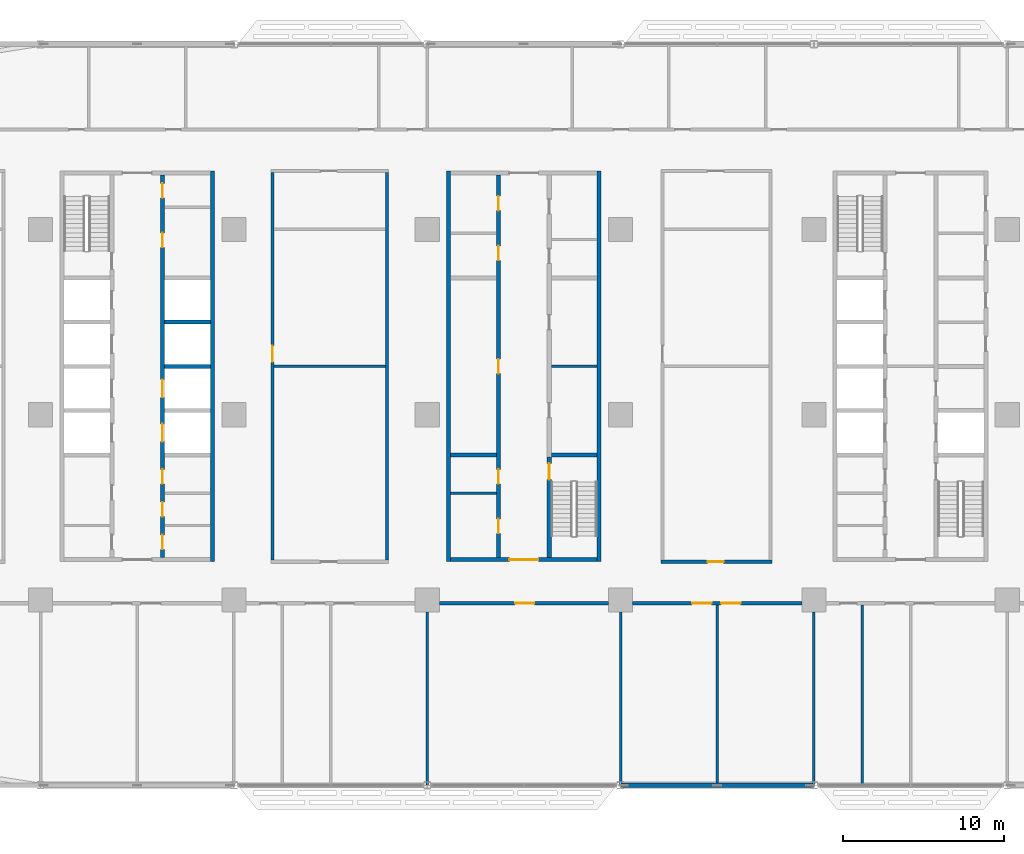
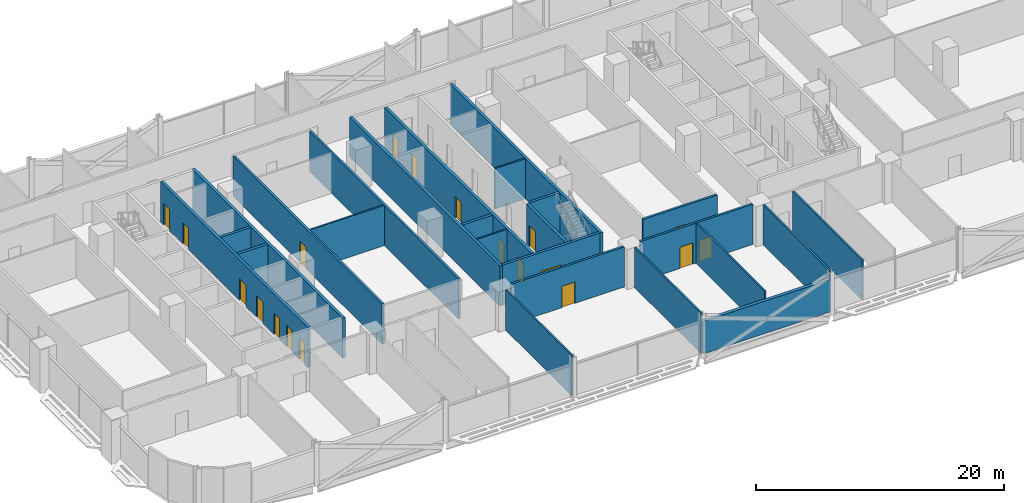
# One storey, part 13 of 29: 25 walls, 19 doors, 19 openings.
"""IFC4 building model written with IfcOpenShell, lengths in metres."""

from ifc_helpers import new_model, si_unit, direction, frame, frame_2d, origin, place, context, subcontext, project, spatial, rectangle, extrude, material, layer, layer_set, type_object, element, fill, save


model = new_model("IFC4")

# Units and contexts
model_context = context("Model", 3, precision=1e-05, world=origin(), true_north=direction((0.0, 1.0)))
body_context = subcontext(model_context, "Body", "Model", "MODEL_VIEW")
ifc_project = project(units=[si_unit("LENGTHUNIT", "METRE"), si_unit("AREAUNIT", "SQUARE_METRE"), si_unit("VOLUMEUNIT", "CUBIC_METRE"), si_unit("PLANEANGLEUNIT", "RADIAN"), si_unit("MASSUNIT", "GRAM", prefix="KILO")], contexts=[model_context])

# Site, building, storey
site_placement = place(None, origin())
site = spatial("IfcSite", under=ifc_project, at=site_placement, CompositionType="ELEMENT")
building_placement = place(site_placement, origin())
building = spatial("IfcBuilding", under=site, at=building_placement, Name="Mahtab Terrace Research Tower", CompositionType="ELEMENT")
storey_placement = place(building_placement, frame((0.0, 0.0, 58.89990234375)))
storey = spatial("IfcBuildingStorey", under=building, at=storey_placement, Name="L13", CompositionType="ELEMENT", Elevation=58.89990234375)

# Walls
ifc_material_1 = material(Name="Gypsum board partition")
ifc_layer_1 = layer(ifc_material_1, 0.14990234375)
ifc_layer_set_1 = layer_set([ifc_layer_1], Name="Core partition 150")
wall_type_1 = type_object("IfcWallType", Name="Core partition 150", PredefinedType="PARTITIONING", material=ifc_layer_set_1)
for number, where, z_axis, x_axis, name in (
    (1, (1.699951171875, 3.0, 0.0), (0.0, 0.0, 1.0), (1.0, 0.0, 0.0), "Core wall B pEL0"),
    (2, (-4.550048828125, -4.875, 0.0), (0.0, 0.0, 1.0), (1.0, 0.0, 0.0), "Core wall B pWS-788"),
):
    element("IfcWall", number, at=place(storey_placement, frame(where, z_axis=z_axis, x_axis=x_axis)), inside=storey, type_object=wall_type_1, Name=name, PredefinedType="PARTITIONING", context=body_context, shape_type="SweptSolid", body=[
        extrude(rectangle(XDim=2.85009765625, YDim=0.14990234375, at=frame_2d((1.425048828125, 0.0))), origin(), (0.0, 0.0, 1.0), 3.960205078125),
    ])
ifc_material_2 = material(Name="Concrete C70/85", Category="concrete")
ifc_layer_2 = layer(ifc_material_2, 0.25)
ifc_layer_set_2 = layer_set([ifc_layer_2], Name="Core wall 250")
wall_type_2 = type_object("IfcWallType", Name="Core wall 250", PredefinedType="SOLIDWALL", material=ifc_layer_set_2)
wall_1_placement = place(storey_placement, frame((-19.324951171875, -9.125, 0.0), z_axis=(0.0, 0.0, 1.0), x_axis=(0.0, 1.0, 0.0)))
element("IfcWall", 3, at=wall_1_placement, inside=storey, type_object=wall_type_2, Name="Core wall A outerE", PredefinedType="SOLIDWALL", context=body_context, shape_type="SweptSolid", body=[
    extrude(rectangle(XDim=24.25, YDim=0.25, at=frame_2d((12.125, 0.0))), origin(), (0.0, 0.0, 1.0), 3.960205078125),
])

# Wall, openings, doors
wall_2_placement = place(storey_placement, frame((-22.425048828125, 14.875, 0.0), z_axis=(0.0, 0.0, 1.0), x_axis=(0.0, -1.0, 0.0)))
wall_2 = element("IfcWall", 4, at=wall_2_placement, inside=storey, type_object=wall_type_2, Name="Core wall A innerESLN", PredefinedType="SOLIDWALL", context=body_context, shape_type="SweptSolid", body=[
    extrude(rectangle(XDim=23.75, YDim=0.25, at=frame_2d((11.875, 0.0))), origin(), (0.0, 0.0, 1.0), 3.960205078125),
])
opening_1_placement = place(wall_2_placement, frame((15.449951171875, 0.0, 0.0)))
opening_1 = element("IfcOpeningElement", 5, at=opening_1_placement, cuts=wall_2, Name="Opening LD05-L13", PredefinedType="OPENING", context=body_context, shape_type="SweptSolid", body=[
    extrude(rectangle(XDim=1.10009765625, YDim=2.10009765625, at=frame_2d((0.550048828125, 1.050048828125))), frame((0.0, 0.135009765625, 0.0), z_axis=(0.0, -1.0, 0.0), x_axis=(1.0, 0.0, 0.0)), (0.0, 0.0, 1.0), 0.27001953125),
])
opening_2_placement = place(wall_2_placement, frame((12.699951171875, 0.0, 0.0)))
opening_2 = element("IfcOpeningElement", 6, at=opening_2_placement, cuts=wall_2, Name="Opening LD06-L13", PredefinedType="OPENING", context=body_context, shape_type="SweptSolid", body=[
    extrude(rectangle(XDim=1.10009765625, YDim=2.10009765625, at=frame_2d((0.550048828125, 1.050048828125))), frame((0.0, 0.135009765625, 0.0), z_axis=(0.0, -1.0, 0.0), x_axis=(1.0, 0.0, 0.0)), (0.0, 0.0, 1.0), 0.27001953125),
])
opening_3_placement = place(wall_2_placement, frame((22.33740234375, 0.0, 0.0)))
opening_3 = element("IfcOpeningElement", 7, at=opening_3_placement, cuts=wall_2, Name="Opening A-R3", PredefinedType="OPENING", context=body_context, shape_type="SweptSolid", body=[
    extrude(rectangle(XDim=0.89990234375, YDim=2.10009765625, at=frame_2d((0.449951171875, 1.050048828125))), frame((0.0, 0.135009765625, 0.0), z_axis=(0.0, -1.0, 0.0), x_axis=(1.0, 0.0, 0.0)), (0.0, 0.0, 1.0), 0.27001953125),
])
opening_4_placement = place(wall_2_placement, frame((20.300048828125, 0.0, 0.0)))
opening_4 = element("IfcOpeningElement", 8, at=opening_4_placement, cuts=wall_2, Name="Opening A-R4", PredefinedType="OPENING", context=body_context, shape_type="SweptSolid", body=[
    extrude(rectangle(XDim=0.89990234375, YDim=2.10009765625, at=frame_2d((0.449951171875, 1.050048828125))), frame((0.0, 0.135009765625, 0.0), z_axis=(0.0, -1.0, 0.0), x_axis=(1.0, 0.0, 0.0)), (0.0, 0.0, 1.0), 0.27001953125),
])
opening_5_placement = place(wall_2_placement, frame((18.262451171875, 0.0, 0.0)))
opening_5 = element("IfcOpeningElement", 9, at=opening_5_placement, cuts=wall_2, Name="Opening A-R5", PredefinedType="OPENING", context=body_context, shape_type="SweptSolid", body=[
    extrude(rectangle(XDim=0.89990234375, YDim=2.10009765625, at=frame_2d((0.449951171875, 1.050048828125))), frame((0.0, 0.135009765625, 0.0), z_axis=(0.0, -1.0, 0.0), x_axis=(1.0, 0.0, 0.0)), (0.0, 0.0, 1.0), 0.27001953125),
])
opening_6_placement = place(wall_2_placement, frame((3.58740234375, 0.0, 0.0)))
opening_6 = element("IfcOpeningElement", 10, at=opening_6_placement, cuts=wall_2, Name="Opening A-R6", PredefinedType="OPENING", context=body_context, shape_type="SweptSolid", body=[
    extrude(rectangle(XDim=0.89990234375, YDim=2.10009765625, at=frame_2d((0.449951171875, 1.050048828125))), frame((0.0, 0.135009765625, 0.0), z_axis=(0.0, -1.0, 0.0), x_axis=(1.0, 0.0, 0.0)), (0.0, 0.0, 1.0), 0.27001953125),
])
opening_7_placement = place(wall_2_placement, frame((0.512451171875, 0.0, 0.0)))
opening_7 = element("IfcOpeningElement", 11, at=opening_7_placement, cuts=wall_2, Name="Opening A-R7", PredefinedType="OPENING", context=body_context, shape_type="SweptSolid", body=[
    extrude(rectangle(XDim=0.89990234375, YDim=2.10009765625, at=frame_2d((0.449951171875, 1.050048828125))), frame((0.0, 0.135009765625, 0.0), z_axis=(0.0, -1.0, 0.0), x_axis=(1.0, 0.0, 0.0)), (0.0, 0.0, 1.0), 0.27001953125),
])
ifc_material_3 = material(Name="Stainless steel AISI 304", Category="steel")
door_type_1 = type_object("IfcDoorType", Name="Landing door 1100x2100", OperationType="DOUBLE_DOOR_SLIDING", PredefinedType="DOOR", material=ifc_material_3)
door_1_placement = place(opening_1_placement, origin())
door_1 = element("IfcDoor", 12, at=door_1_placement, inside=storey, type_object=door_type_1, Name="Landing door LR5 L13", OperationType="DOUBLE_DOOR_SLIDING", OverallHeight=2.10009765625, OverallWidth=1.10009765625, PredefinedType="DOOR", context=body_context, shape_type="SweptSolid", body=[
    extrude(rectangle(XDim=1.10009765625, YDim=2.10009765625, at=frame_2d((0.550048828125, 1.050048828125))), frame((0.0, 0.02490234375, 0.0), z_axis=(0.0, -1.0, 0.0), x_axis=(1.0, 0.0, 0.0)), (0.0, 0.0, 1.0), 0.050048828125),
])
fill(opening_1, door_1)
door_2_placement = place(opening_2_placement, origin())
door_2 = element("IfcDoor", 13, at=door_2_placement, inside=storey, type_object=door_type_1, Name="Landing door LR6 L13", OperationType="DOUBLE_DOOR_SLIDING", OverallHeight=2.10009765625, OverallWidth=1.10009765625, PredefinedType="DOOR", context=body_context, shape_type="SweptSolid", body=[
    extrude(rectangle(XDim=1.10009765625, YDim=2.10009765625, at=frame_2d((0.550048828125, 1.050048828125))), frame((0.0, 0.02490234375, 0.0), z_axis=(0.0, -1.0, 0.0), x_axis=(1.0, 0.0, 0.0)), (0.0, 0.0, 1.0), 0.050048828125),
])
fill(opening_2, door_2)
ifc_material_4 = material(Name="Steel fire door", Category="steel")
door_type_2 = type_object("IfcDoorType", Name="Room door 900x2100 1 HR", OperationType="NOTDEFINED", PredefinedType="DOOR", material=ifc_material_4)
door_3_placement = place(opening_3_placement, origin())
door_3 = element("IfcDoor", 14, at=door_3_placement, inside=storey, type_object=door_type_2, Name="Comms riser room door", OperationType="SINGLE_SWING_LEFT", OverallHeight=2.10009765625, OverallWidth=0.89990234375, PredefinedType="DOOR", context=body_context, shape_type="SweptSolid", body=[
    extrude(rectangle(XDim=0.89990234375, YDim=2.10009765625, at=frame_2d((0.449951171875, 1.050048828125))), frame((0.0, 0.02490234375, 0.0), z_axis=(0.0, -1.0, 0.0), x_axis=(1.0, 0.0, 0.0)), (0.0, 0.0, 1.0), 0.050048828125),
])
fill(opening_3, door_3)
door_4_placement = place(opening_4_placement, origin())
door_4 = element("IfcDoor", 15, at=door_4_placement, inside=storey, type_object=door_type_2, Name="Pantry door", OperationType="SINGLE_SWING_RIGHT", OverallHeight=2.10009765625, OverallWidth=0.89990234375, PredefinedType="DOOR", context=body_context, shape_type="SweptSolid", body=[
    extrude(rectangle(XDim=0.89990234375, YDim=2.10009765625, at=frame_2d((0.449951171875, 1.050048828125))), frame((0.0, 0.02490234375, 0.0), z_axis=(0.0, -1.0, 0.0), x_axis=(1.0, 0.0, 0.0)), (0.0, 0.0, 1.0), 0.050048828125),
])
fill(opening_4, door_4)
door_5_placement = place(opening_5_placement, origin())
door_5 = element("IfcDoor", 16, at=door_5_placement, inside=storey, type_object=door_type_2, Name="Cleaners store door", OperationType="SINGLE_SWING_LEFT", OverallHeight=2.10009765625, OverallWidth=0.89990234375, PredefinedType="DOOR", context=body_context, shape_type="SweptSolid", body=[
    extrude(rectangle(XDim=0.89990234375, YDim=2.10009765625, at=frame_2d((0.449951171875, 1.050048828125))), frame((0.0, 0.02490234375, 0.0), z_axis=(0.0, -1.0, 0.0), x_axis=(1.0, 0.0, 0.0)), (0.0, 0.0, 1.0), 0.050048828125),
])
fill(opening_5, door_5)
door_6_placement = place(opening_6_placement, origin())
door_6 = element("IfcDoor", 17, at=door_6_placement, inside=storey, type_object=door_type_2, Name="IT equipment room door", OperationType="SINGLE_SWING_RIGHT", OverallHeight=2.10009765625, OverallWidth=0.89990234375, PredefinedType="DOOR", context=body_context, shape_type="SweptSolid", body=[
    extrude(rectangle(XDim=0.89990234375, YDim=2.10009765625, at=frame_2d((0.449951171875, 1.050048828125))), frame((0.0, 0.02490234375, 0.0), z_axis=(0.0, -1.0, 0.0), x_axis=(1.0, 0.0, 0.0)), (0.0, 0.0, 1.0), 0.050048828125),
])
fill(opening_6, door_6)
door_7_placement = place(opening_7_placement, origin())
door_7 = element("IfcDoor", 18, at=door_7_placement, inside=storey, type_object=door_type_2, Name="Electrical riser room door", OperationType="SINGLE_SWING_LEFT", OverallHeight=2.10009765625, OverallWidth=0.89990234375, PredefinedType="DOOR", context=body_context, shape_type="SweptSolid", body=[
    extrude(rectangle(XDim=0.89990234375, YDim=2.10009765625, at=frame_2d((0.449951171875, 1.050048828125))), frame((0.0, 0.02490234375, 0.0), z_axis=(0.0, -1.0, 0.0), x_axis=(1.0, 0.0, 0.0)), (0.0, 0.0, 1.0), 0.050048828125),
])
fill(opening_7, door_7)

# Walls
for number, where, z_axis, x_axis, name in (
    (19, (-22.300048828125, 3.0, 0.0), (0.0, 0.0, 1.0), (1.0, 0.0, 0.0), "Core wall A divE2"),
    (20, (-22.300048828125, 5.75, 0.0), (0.0, 0.0, 1.0), (1.0, 0.0, 0.0), "Core wall A divE3"),
):
    element("IfcWall", number, at=place(storey_placement, frame(where, z_axis=z_axis, x_axis=x_axis)), inside=storey, type_object=wall_type_2, Name=name, PredefinedType="SOLIDWALL", context=body_context, shape_type="SweptSolid", body=[
        extrude(rectangle(XDim=2.85009765625, YDim=0.25, at=frame_2d((1.425048828125, 0.0))), origin(), (0.0, 0.0, 1.0), 3.960205078125),
    ])
for number, where, z_axis, x_axis, name in (
    (21, (-4.675048828125, 15.125, 0.0), (0.0, 0.0, 1.0), (0.0, -1.0, 0.0), "Core wall B outerW"),
    (22, (4.675048828125, -9.125, 0.0), (0.0, 0.0, 1.0), (0.0, 1.0, 0.0), "Core wall B outerE"),
):
    element("IfcWall", number, at=place(storey_placement, frame(where, z_axis=z_axis, x_axis=x_axis)), inside=storey, type_object=wall_type_2, Name=name, PredefinedType="SOLIDWALL", context=body_context, shape_type="SweptSolid", body=[
        extrude(rectangle(XDim=24.25, YDim=0.25, at=frame_2d((12.125, 0.0))), origin(), (0.0, 0.0, 1.0), 3.960205078125),
    ])

# Wall, opening, door
wall_3_placement = place(storey_placement, frame((4.550048828125, -9.0, 0.0), z_axis=(0.0, 0.0, 1.0), x_axis=(-1.0, 0.0, 0.0)))
wall_3 = element("IfcWall", 23, at=wall_3_placement, inside=storey, type_object=wall_type_2, Name="Core wall B endS", PredefinedType="SOLIDWALL", context=body_context, shape_type="SweptSolid", body=[
    extrude(rectangle(XDim=9.10009765625, YDim=0.25, at=frame_2d((4.550048828125, 0.0))), origin(), (0.0, 0.0, 1.0), 3.960205078125),
])
opening_8_placement = place(wall_3_placement, frame((3.64990234375, 0.0, 0.0)))
opening_8 = element("IfcOpeningElement", 24, at=opening_8_placement, cuts=wall_3, Name="Opening B-S1", PredefinedType="OPENING", context=body_context, shape_type="SweptSolid", body=[
    extrude(rectangle(XDim=1.800048828125, YDim=2.10009765625, at=frame_2d((0.89990234375, 1.050048828125))), frame((0.0, 0.135009765625, 0.0), z_axis=(0.0, -1.0, 0.0), x_axis=(1.0, 0.0, 0.0)), (0.0, 0.0, 1.0), 0.27001953125),
])
door_type_3 = type_object("IfcDoorType", Name="Lobby double door 1800x2100 1 HR", OperationType="DOUBLE_DOOR_SINGLE_SWING", PredefinedType="DOOR", material=ifc_material_4)
door_8_placement = place(opening_8_placement, origin())
door_8 = element("IfcDoor", 25, at=door_8_placement, inside=storey, type_object=door_type_3, Name="Core entrance door B S", OperationType="DOUBLE_DOOR_SINGLE_SWING", OverallHeight=2.10009765625, OverallWidth=1.800048828125, PredefinedType="DOOR", context=body_context, shape_type="SweptSolid", body=[
    extrude(rectangle(XDim=1.800048828125, YDim=2.10009765625, at=frame_2d((0.89990234375, 1.050048828125))), frame((0.0, 0.02490234375, 0.0), z_axis=(0.0, -1.0, 0.0), x_axis=(1.0, 0.0, 0.0)), (0.0, 0.0, 1.0), 0.050048828125),
])
fill(opening_8, door_8)

# Wall, openings, doors
wall_4_placement = place(storey_placement, frame((-1.574951171875, -8.875, 0.0), z_axis=(0.0, 0.0, 1.0), x_axis=(0.0, 1.0, 0.0)))
wall_4 = element("IfcWall", 26, at=wall_4_placement, inside=storey, type_object=wall_type_2, Name="Core wall B innerWSLN", PredefinedType="SOLIDWALL", context=body_context, shape_type="SweptSolid", body=[
    extrude(rectangle(XDim=23.75, YDim=0.25, at=frame_2d((11.875, 0.0))), origin(), (0.0, 0.0, 1.0), 3.960205078125),
])
opening_9_placement = place(wall_4_placement, frame((11.425048828125, 0.0, 0.0)))
opening_9 = element("IfcOpeningElement", 27, at=opening_9_placement, cuts=wall_4, Name="Opening B-R1", PredefinedType="OPENING", context=body_context, shape_type="SweptSolid", body=[
    extrude(rectangle(XDim=0.89990234375, YDim=2.10009765625, at=frame_2d((0.449951171875, 1.050048828125))), frame((0.0, 0.135009765625, 0.0), z_axis=(0.0, -1.0, 0.0), x_axis=(1.0, 0.0, 0.0)), (0.0, 0.0, 1.0), 0.27001953125),
])
opening_10_placement = place(wall_4_placement, frame((1.512451171875, 0.0, 0.0)))
opening_10 = element("IfcOpeningElement", 28, at=opening_10_placement, cuts=wall_4, Name="Opening B-R4", PredefinedType="OPENING", context=body_context, shape_type="SweptSolid", body=[
    extrude(rectangle(XDim=0.89990234375, YDim=2.10009765625, at=frame_2d((0.449951171875, 1.050048828125))), frame((0.0, 0.135009765625, 0.0), z_axis=(0.0, -1.0, 0.0), x_axis=(1.0, 0.0, 0.0)), (0.0, 0.0, 1.0), 0.27001953125),
])
opening_11_placement = place(wall_4_placement, frame((4.58740234375, 0.0, 0.0)))
opening_11 = element("IfcOpeningElement", 29, at=opening_11_placement, cuts=wall_4, Name="Opening B-R5", PredefinedType="OPENING", context=body_context, shape_type="SweptSolid", body=[
    extrude(rectangle(XDim=0.89990234375, YDim=2.10009765625, at=frame_2d((0.449951171875, 1.050048828125))), frame((0.0, 0.135009765625, 0.0), z_axis=(0.0, -1.0, 0.0), x_axis=(1.0, 0.0, 0.0)), (0.0, 0.0, 1.0), 0.27001953125),
])
opening_12_placement = place(wall_4_placement, frame((18.46240234375, 0.0, 0.0)))
opening_12 = element("IfcOpeningElement", 30, at=opening_12_placement, cuts=wall_4, Name="Opening B-R6", PredefinedType="OPENING", context=body_context, shape_type="SweptSolid", body=[
    extrude(rectangle(XDim=0.89990234375, YDim=2.10009765625, at=frame_2d((0.449951171875, 1.050048828125))), frame((0.0, 0.135009765625, 0.0), z_axis=(0.0, -1.0, 0.0), x_axis=(1.0, 0.0, 0.0)), (0.0, 0.0, 1.0), 0.27001953125),
])
opening_13_placement = place(wall_4_placement, frame((21.53759765625, 0.0, 0.0)))
opening_13 = element("IfcOpeningElement", 31, at=opening_13_placement, cuts=wall_4, Name="Opening B-R7", PredefinedType="OPENING", context=body_context, shape_type="SweptSolid", body=[
    extrude(rectangle(XDim=0.89990234375, YDim=2.10009765625, at=frame_2d((0.449951171875, 1.050048828125))), frame((0.0, 0.135009765625, 0.0), z_axis=(0.0, -1.0, 0.0), x_axis=(1.0, 0.0, 0.0)), (0.0, 0.0, 1.0), 0.27001953125),
])
door_9_placement = place(opening_9_placement, origin())
door_9 = element("IfcDoor", 32, at=door_9_placement, inside=storey, type_object=door_type_2, Name="Plant room door", OperationType="SINGLE_SWING_LEFT", OverallHeight=2.10009765625, OverallWidth=0.89990234375, PredefinedType="DOOR", context=body_context, shape_type="SweptSolid", body=[
    extrude(rectangle(XDim=0.89990234375, YDim=2.10009765625, at=frame_2d((0.449951171875, 1.050048828125))), frame((0.0, 0.02490234375, 0.0), z_axis=(0.0, -1.0, 0.0), x_axis=(1.0, 0.0, 0.0)), (0.0, 0.0, 1.0), 0.050048828125),
])
fill(opening_9, door_9)
door_10_placement = place(opening_10_placement, origin())
door_10 = element("IfcDoor", 33, at=door_10_placement, inside=storey, type_object=door_type_2, Name="IT equipment room door", OperationType="SINGLE_SWING_RIGHT", OverallHeight=2.10009765625, OverallWidth=0.89990234375, PredefinedType="DOOR", context=body_context, shape_type="SweptSolid", body=[
    extrude(rectangle(XDim=0.89990234375, YDim=2.10009765625, at=frame_2d((0.449951171875, 1.050048828125))), frame((0.0, 0.02490234375, 0.0), z_axis=(0.0, -1.0, 0.0), x_axis=(1.0, 0.0, 0.0)), (0.0, 0.0, 1.0), 0.050048828125),
])
fill(opening_10, door_10)
door_11_placement = place(opening_11_placement, origin())
door_11 = element("IfcDoor", 34, at=door_11_placement, inside=storey, type_object=door_type_2, Name="Electrical riser room door", OperationType="SINGLE_SWING_LEFT", OverallHeight=2.10009765625, OverallWidth=0.89990234375, PredefinedType="DOOR", context=body_context, shape_type="SweptSolid", body=[
    extrude(rectangle(XDim=0.89990234375, YDim=2.10009765625, at=frame_2d((0.449951171875, 1.050048828125))), frame((0.0, 0.02490234375, 0.0), z_axis=(0.0, -1.0, 0.0), x_axis=(1.0, 0.0, 0.0)), (0.0, 0.0, 1.0), 0.050048828125),
])
fill(opening_11, door_11)
door_12_placement = place(opening_12_placement, origin())
door_12 = element("IfcDoor", 35, at=door_12_placement, inside=storey, type_object=door_type_2, Name="Mechanical riser room door", OperationType="SINGLE_SWING_RIGHT", OverallHeight=2.10009765625, OverallWidth=0.89990234375, PredefinedType="DOOR", context=body_context, shape_type="SweptSolid", body=[
    extrude(rectangle(XDim=0.89990234375, YDim=2.10009765625, at=frame_2d((0.449951171875, 1.050048828125))), frame((0.0, 0.02490234375, 0.0), z_axis=(0.0, -1.0, 0.0), x_axis=(1.0, 0.0, 0.0)), (0.0, 0.0, 1.0), 0.050048828125),
])
fill(opening_12, door_12)
door_13_placement = place(opening_13_placement, origin())
door_13 = element("IfcDoor", 36, at=door_13_placement, inside=storey, type_object=door_type_2, Name="Chemical store door", OperationType="SINGLE_SWING_LEFT", OverallHeight=2.10009765625, OverallWidth=0.89990234375, PredefinedType="DOOR", context=body_context, shape_type="SweptSolid", body=[
    extrude(rectangle(XDim=0.89990234375, YDim=2.10009765625, at=frame_2d((0.449951171875, 1.050048828125))), frame((0.0, 0.02490234375, 0.0), z_axis=(0.0, -1.0, 0.0), x_axis=(1.0, 0.0, 0.0)), (0.0, 0.0, 1.0), 0.050048828125),
])
fill(opening_13, door_13)

# Wall, opening, door
wall_5_placement = place(storey_placement, frame((1.574951171875, -8.875, 0.0), z_axis=(0.0, 0.0, 1.0), x_axis=(0.0, 1.0, 0.0)))
wall_5 = element("IfcWall", 37, at=wall_5_placement, inside=storey, type_object=wall_type_2, Name="Core wall B innerES", PredefinedType="SOLIDWALL", context=body_context, shape_type="SweptSolid", body=[
    extrude(rectangle(XDim=6.25, YDim=0.25, at=frame_2d((3.125, 0.0))), origin(), (0.0, 0.0, 1.0), 3.960205078125),
])
opening_14_placement = place(wall_5_placement, frame((4.85009765625, 0.0, 0.0)))
opening_14 = element("IfcOpeningElement", 38, at=opening_14_placement, cuts=wall_5, Name="Opening B-ST2", PredefinedType="OPENING", context=body_context, shape_type="SweptSolid", body=[
    extrude(rectangle(XDim=1.0, YDim=2.10009765625, at=frame_2d((0.5, 1.050048828125))), frame((0.0, 0.135009765625, 0.0), z_axis=(0.0, -1.0, 0.0), x_axis=(1.0, 0.0, 0.0)), (0.0, 0.0, 1.0), 0.27001953125),
])
door_type_4 = type_object("IfcDoorType", Name="Stair door 1000x2100 1.5 HR", OperationType="NOTDEFINED", PredefinedType="DOOR", material=ifc_material_4)
door_14_placement = place(opening_14_placement, origin())
door_14 = element("IfcDoor", 39, at=door_14_placement, inside=storey, type_object=door_type_4, Name="Stair door ST2 L13", OperationType="SINGLE_SWING_RIGHT", OverallHeight=2.10009765625, OverallWidth=1.0, PredefinedType="DOOR", context=body_context, shape_type="SweptSolid", body=[
    extrude(rectangle(XDim=1.0, YDim=2.10009765625, at=frame_2d((0.5, 1.050048828125))), frame((0.0, 0.02490234375, 0.0), z_axis=(0.0, -1.0, 0.0), x_axis=(1.0, 0.0, 0.0)), (0.0, 0.0, 1.0), 0.050048828125),
])
fill(opening_14, door_14)

# Walls
for number, where, z_axis, x_axis, name in (
    (40, (-4.550048828125, -2.5, 0.0), (0.0, 0.0, 1.0), (1.0, 0.0, 0.0), "Core wall B divW0"),
    (41, (1.699951171875, -2.5, 0.0), (0.0, 0.0, 1.0), (1.0, 0.0, 0.0), "Core wall B divE0"),
):
    element("IfcWall", number, at=place(storey_placement, frame(where, z_axis=z_axis, x_axis=x_axis)), inside=storey, type_object=wall_type_2, Name=name, PredefinedType="SOLIDWALL", context=body_context, shape_type="SweptSolid", body=[
        extrude(rectangle(XDim=2.85009765625, YDim=0.25, at=frame_2d((1.425048828125, 0.0))), origin(), (0.0, 0.0, 1.0), 3.960205078125),
    ])
ifc_material_5 = material(Name="Black aluminium cladding panel", Category="aluminium")
ifc_layer_3 = layer(ifc_material_5, 0.300048828125)
ifc_layer_set_3 = layer_set([ifc_layer_3], Name="Opaque facade wall 300")
wall_type_3 = type_object("IfcWallType", Name="Opaque facade wall 300", PredefinedType="NOTDEFINED", material=ifc_layer_set_3)
wall_6_placement = place(storey_placement, frame((6.02392578125, -23.0, 0.0), z_axis=(0.0, 0.0, 1.0), x_axis=(1.0, 0.0, 0.0)))
element("IfcWall", 42, at=wall_6_placement, inside=storey, type_object=wall_type_3, Name="Opaque facade wall L13 S27", PredefinedType="NOTDEFINED", context=body_context, shape_type="SweptSolid", body=[
    extrude(rectangle(XDim=11.9521484375, YDim=0.300048828125, at=frame_2d((5.97607421875, 0.0))), origin(), (0.0, 0.0, 1.0), 3.203125),
])

# Wall, opening, door
ifc_material_6 = material(Name="Gypsum board corridor wall on steel studs", Category="steel")
ifc_layer_4 = layer(ifc_material_6, 0.199951171875)
ifc_layer_set_4 = layer_set([ifc_layer_4], Name="WALL CORRIDOR 200")
wall_type_4 = type_object("IfcWallType", Name="WALL CORRIDOR 200", PredefinedType="PARTITIONING", material=ifc_layer_set_4)
wall_7_placement = place(storey_placement, frame((-5.25, -11.699951171875, 0.0), z_axis=(0.0, 0.0, 1.0), x_axis=(1.0, 0.0, 0.0)))
wall_7 = element("IfcWall", 43, at=wall_7_placement, inside=storey, type_object=wall_type_4, Name="L13-W004", PredefinedType="PARTITIONING", context=body_context, shape_type="SweptSolid", body=[
    extrude(rectangle(XDim=10.5, YDim=0.199951171875, at=frame_2d((5.25, 0.0))), origin(), (0.0, 0.0, 1.0), 3.960205078125),
])
opening_15_placement = place(wall_7_placement, frame((4.699951171875, 0.0, 0.0)))
opening_15 = element("IfcOpeningElement", 44, at=opening_15_placement, cuts=wall_7, Name="Opening L13-107", PredefinedType="OPENING", context=body_context, shape_type="SweptSolid", body=[
    extrude(rectangle(XDim=1.199951171875, YDim=2.10009765625, at=frame_2d((0.60009765625, 1.050048828125))), frame((0.0, 0.10986328125, 0.0), z_axis=(0.0, -1.0, 0.0), x_axis=(1.0, 0.0, 0.0)), (0.0, 0.0, 1.0), 0.219970703125),
])
ifc_material_7 = material(Name="Timber door leaf in steel frame", Category="steel")
door_type_5 = type_object("IfcDoorType", Name="DOOR 1200X2100 FD30S", OperationType="SINGLE_SWING_LEFT", PredefinedType="DOOR", material=ifc_material_7)
door_15_placement = place(opening_15_placement, origin())
door_15 = element("IfcDoor", 45, at=door_15_placement, inside=storey, type_object=door_type_5, Name="Door L13-107", OperationType="SINGLE_SWING_LEFT", OverallHeight=2.10009765625, OverallWidth=1.199951171875, PredefinedType="DOOR", context=body_context, shape_type="SweptSolid", body=[
    extrude(rectangle(XDim=1.199951171875, YDim=2.10009765625, at=frame_2d((0.60009765625, 1.050048828125))), frame((0.0, 0.02490234375, 0.0), z_axis=(0.0, -1.0, 0.0), x_axis=(1.0, 0.0, 0.0)), (0.0, 0.0, 1.0), 0.050048828125),
])
fill(opening_15, door_15)

# Wall, openings, doors
wall_8_placement = place(storey_placement, frame((6.75, -11.699951171875, 0.0), z_axis=(0.0, 0.0, 1.0), x_axis=(1.0, 0.0, 0.0)))
wall_8 = element("IfcWall", 46, at=wall_8_placement, inside=storey, type_object=wall_type_4, Name="L13-W005", PredefinedType="PARTITIONING", context=body_context, shape_type="SweptSolid", body=[
    extrude(rectangle(XDim=10.5, YDim=0.199951171875, at=frame_2d((5.25, 0.0))), origin(), (0.0, 0.0, 1.0), 3.960205078125),
])
opening_16_placement = place(wall_8_placement, frame((3.699951171875, 0.0, 0.0)))
opening_16 = element("IfcOpeningElement", 47, at=opening_16_placement, cuts=wall_8, Name="Opening L13-108", PredefinedType="OPENING", context=body_context, shape_type="SweptSolid", body=[
    extrude(rectangle(XDim=1.199951171875, YDim=2.10009765625, at=frame_2d((0.60009765625, 1.050048828125))), frame((0.0, 0.10986328125, 0.0), z_axis=(0.0, -1.0, 0.0), x_axis=(1.0, 0.0, 0.0)), (0.0, 0.0, 1.0), 0.219970703125),
])
opening_17_placement = place(wall_8_placement, frame((5.5, 0.0, 0.0)))
opening_17 = element("IfcOpeningElement", 48, at=opening_17_placement, cuts=wall_8, Name="Opening L13-109", PredefinedType="OPENING", context=body_context, shape_type="SweptSolid", body=[
    extrude(rectangle(XDim=1.199951171875, YDim=2.10009765625, at=frame_2d((0.60009765625, 1.050048828125))), frame((0.0, 0.10986328125, 0.0), z_axis=(0.0, -1.0, 0.0), x_axis=(1.0, 0.0, 0.0)), (0.0, 0.0, 1.0), 0.219970703125),
])
door_16_placement = place(opening_16_placement, origin())
door_16 = element("IfcDoor", 49, at=door_16_placement, inside=storey, type_object=door_type_5, Name="Door L13-108", OperationType="SINGLE_SWING_RIGHT", OverallHeight=2.10009765625, OverallWidth=1.199951171875, PredefinedType="DOOR", context=body_context, shape_type="SweptSolid", body=[
    extrude(rectangle(XDim=1.199951171875, YDim=2.10009765625, at=frame_2d((0.60009765625, 1.050048828125))), frame((0.0, 0.02490234375, 0.0), z_axis=(0.0, -1.0, 0.0), x_axis=(1.0, 0.0, 0.0)), (0.0, 0.0, 1.0), 0.050048828125),
])
fill(opening_16, door_16)
door_17_placement = place(opening_17_placement, origin())
door_17 = element("IfcDoor", 50, at=door_17_placement, inside=storey, type_object=door_type_5, Name="Door L13-109", OperationType="SINGLE_SWING_LEFT", OverallHeight=2.10009765625, OverallWidth=1.199951171875, PredefinedType="DOOR", context=body_context, shape_type="SweptSolid", body=[
    extrude(rectangle(XDim=1.199951171875, YDim=2.10009765625, at=frame_2d((0.60009765625, 1.050048828125))), frame((0.0, 0.02490234375, 0.0), z_axis=(0.0, -1.0, 0.0), x_axis=(1.0, 0.0, 0.0)), (0.0, 0.0, 1.0), 0.050048828125),
])
fill(opening_17, door_17)

# Wall, opening, door
wall_9_placement = place(storey_placement, frame((8.5, -9.125, 0.0), z_axis=(0.0, 0.0, 1.0), x_axis=(1.0, 0.0, 0.0)))
wall_9 = element("IfcWall", 51, at=wall_9_placement, inside=storey, type_object=wall_type_4, Name="L13-W011", PredefinedType="PARTITIONING", context=body_context, shape_type="SweptSolid", body=[
    extrude(rectangle(XDim=6.89990234375, YDim=0.199951171875, at=frame_2d((3.449951171875, 0.0))), origin(), (0.0, 0.0, 1.0), 3.960205078125),
])
opening_18_placement = place(wall_9_placement, frame((2.89990234375, 0.0, 0.0)))
opening_18 = element("IfcOpeningElement", 52, at=opening_18_placement, cuts=wall_9, Name="Opening L13-118", PredefinedType="OPENING", context=body_context, shape_type="SweptSolid", body=[
    extrude(rectangle(XDim=1.0, YDim=2.10009765625, at=frame_2d((0.5, 1.050048828125))), frame((0.0, 0.10986328125, 0.0), z_axis=(0.0, -1.0, 0.0), x_axis=(1.0, 0.0, 0.0)), (0.0, 0.0, 1.0), 0.219970703125),
])
door_type_6 = type_object("IfcDoorType", Name="DOOR 1000X2100 FD30S", OperationType="SINGLE_SWING_LEFT", PredefinedType="DOOR", material=ifc_material_7)
door_18_placement = place(opening_18_placement, origin())
door_18 = element("IfcDoor", 53, at=door_18_placement, inside=storey, type_object=door_type_6, Name="Door L13-118", OperationType="SINGLE_SWING_LEFT", OverallHeight=2.10009765625, OverallWidth=1.0, PredefinedType="DOOR", context=body_context, shape_type="SweptSolid", body=[
    extrude(rectangle(XDim=1.0, YDim=2.10009765625, at=frame_2d((0.5, 1.050048828125))), frame((0.0, 0.02490234375, 0.0), z_axis=(0.0, -1.0, 0.0), x_axis=(1.0, 0.0, 0.0)), (0.0, 0.0, 1.0), 0.050048828125),
])
fill(opening_18, door_18)

wall_10_placement = place(storey_placement, frame((-15.60009765625, -9.02490234375, 0.0), z_axis=(0.0, 0.0, 1.0), x_axis=(0.0, 1.0, 0.0)))
wall_10 = element("IfcWall", 54, at=wall_10_placement, inside=storey, type_object=wall_type_4, Name="L13-W035", PredefinedType="PARTITIONING", context=body_context, shape_type="SweptSolid", body=[
    extrude(rectangle(XDim=24.0498046875, YDim=0.199951171875, at=frame_2d((12.02490234375, 0.0))), origin(), (0.0, 0.0, 1.0), 3.960205078125),
])
opening_19_placement = place(wall_10_placement, frame((12.300048828125, 0.0, 0.0)))
opening_19 = element("IfcOpeningElement", 55, at=opening_19_placement, cuts=wall_10, Name="Opening L13-122", PredefinedType="OPENING", context=body_context, shape_type="SweptSolid", body=[
    extrude(rectangle(XDim=1.0, YDim=2.10009765625, at=frame_2d((0.5, 1.050048828125))), frame((0.0, 0.10986328125, 0.0), z_axis=(0.0, -1.0, 0.0), x_axis=(1.0, 0.0, 0.0)), (0.0, 0.0, 1.0), 0.219970703125),
])
door_19_placement = place(opening_19_placement, origin())
door_19 = element("IfcDoor", 56, at=door_19_placement, inside=storey, type_object=door_type_6, Name="Door L13-122", OperationType="SINGLE_SWING_LEFT", OverallHeight=2.10009765625, OverallWidth=1.0, PredefinedType="DOOR", context=body_context, shape_type="SweptSolid", body=[
    extrude(rectangle(XDim=1.0, YDim=2.10009765625, at=frame_2d((0.5, 1.050048828125))), frame((0.0, 0.02490234375, 0.0), z_axis=(0.0, -1.0, 0.0), x_axis=(1.0, 0.0, 0.0)), (0.0, 0.0, 1.0), 0.050048828125),
])
fill(opening_19, door_19)

# Walls
wall_11_placement = place(storey_placement, frame((-8.5, -9.02490234375, 0.0), z_axis=(0.0, 0.0, 1.0), x_axis=(0.0, 1.0, 0.0)))
element("IfcWall", 57, at=wall_11_placement, inside=storey, type_object=wall_type_4, Name="L13-W039", PredefinedType="PARTITIONING", context=body_context, shape_type="SweptSolid", body=[
    extrude(rectangle(XDim=24.0498046875, YDim=0.199951171875, at=frame_2d((12.02490234375, 0.0))), origin(), (0.0, 0.0, 1.0), 3.960205078125),
])
ifc_material_8 = material(Name="Gypsum board partition on steel studs", Category="steel")
ifc_layer_5 = layer(ifc_material_8, 0.14990234375)
ifc_layer_set_5 = layer_set([ifc_layer_5], Name="WALL PARTITION 150")
wall_type_5 = type_object("IfcWallType", Name="WALL PARTITION 150", PredefinedType="PARTITIONING", material=ifc_layer_set_5)
wall_12_placement = place(storey_placement, frame((-15.5, 3.0, 0.0), z_axis=(0.0, 0.0, 1.0), x_axis=(1.0, 0.0, 0.0)))
element("IfcWall", 58, at=wall_12_placement, inside=storey, type_object=wall_type_5, Name="L13-W014", PredefinedType="PARTITIONING", context=body_context, shape_type="SweptSolid", body=[
    extrude(rectangle(XDim=6.89990234375, YDim=0.14990234375, at=frame_2d((3.449951171875, 0.0))), origin(), (0.0, 0.0, 1.0), 3.960205078125),
])
for number, where, z_axis, x_axis, name in (
    (59, (-6.0, -22.97509765625, 0.0), (0.0, 0.0, 1.0), (0.0, 1.0, 0.0), "L13-W040"),
    (60, (6.0, -22.97509765625, 0.0), (0.0, 0.0, 1.0), (0.0, 1.0, 0.0), "L13-W043"),
):
    element("IfcWall", number, at=place(storey_placement, frame(where, z_axis=z_axis, x_axis=x_axis)), inside=storey, type_object=wall_type_5, Name=name, PredefinedType="PARTITIONING", context=body_context, shape_type="SweptSolid", body=[
        extrude(rectangle(XDim=10.72509765625, YDim=0.14990234375, at=frame_2d((5.362548828125, 0.0))), origin(), (0.0, 0.0, 1.0), 3.960205078125),
    ])
wall_13_placement = place(storey_placement, frame((12.0, -22.85009765625, 0.0), z_axis=(0.0, 0.0, 1.0), x_axis=(0.0, 1.0, 0.0)))
element("IfcWall", 61, at=wall_13_placement, inside=storey, type_object=wall_type_5, Name="L13-W046", PredefinedType="PARTITIONING", context=body_context, shape_type="SweptSolid", body=[
    extrude(rectangle(XDim=11.050048828125, YDim=0.14990234375, at=frame_2d((5.52490234375, 0.0))), origin(), (0.0, 0.0, 1.0), 3.960205078125),
])
wall_14_placement = place(storey_placement, frame((18.0, -22.97509765625, 0.0), z_axis=(0.0, 0.0, 1.0), x_axis=(0.0, 1.0, 0.0)))
element("IfcWall", 62, at=wall_14_placement, inside=storey, type_object=wall_type_5, Name="L13-W049", PredefinedType="PARTITIONING", context=body_context, shape_type="SweptSolid", body=[
    extrude(rectangle(XDim=10.72509765625, YDim=0.14990234375, at=frame_2d((5.362548828125, 0.0))), origin(), (0.0, 0.0, 1.0), 3.960205078125),
])
wall_15_placement = place(storey_placement, frame((21.0, -22.97509765625, 0.0), z_axis=(0.0, 0.0, 1.0), x_axis=(0.0, 1.0, 0.0)))
element("IfcWall", 63, at=wall_15_placement, inside=storey, type_object=wall_type_5, Name="L13-W050", PredefinedType="PARTITIONING", context=body_context, shape_type="SweptSolid", body=[
    extrude(rectangle(XDim=11.175048828125, YDim=0.14990234375, at=frame_2d((5.58740234375, 0.0))), origin(), (0.0, 0.0, 1.0), 3.960205078125),
])

save(model, "model.ifc")
